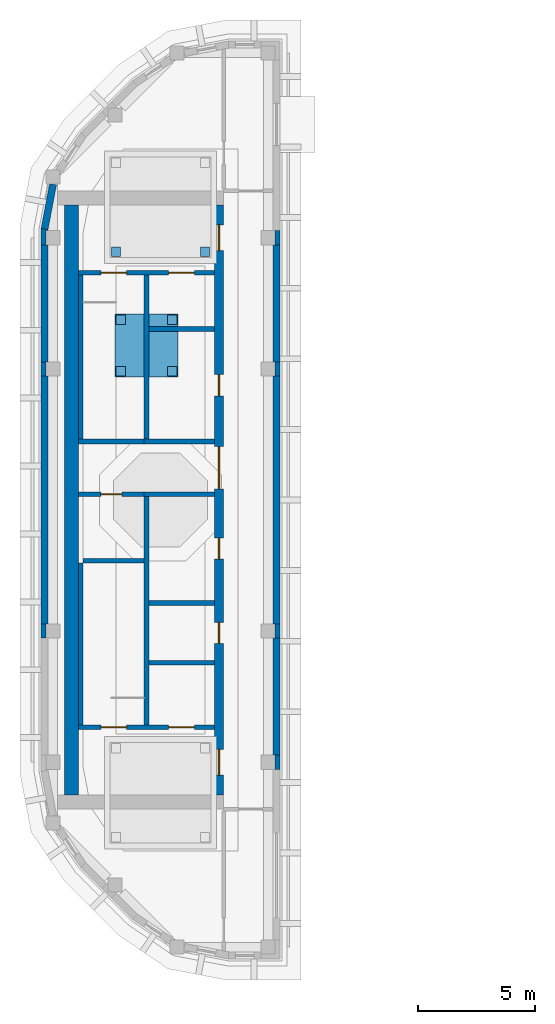
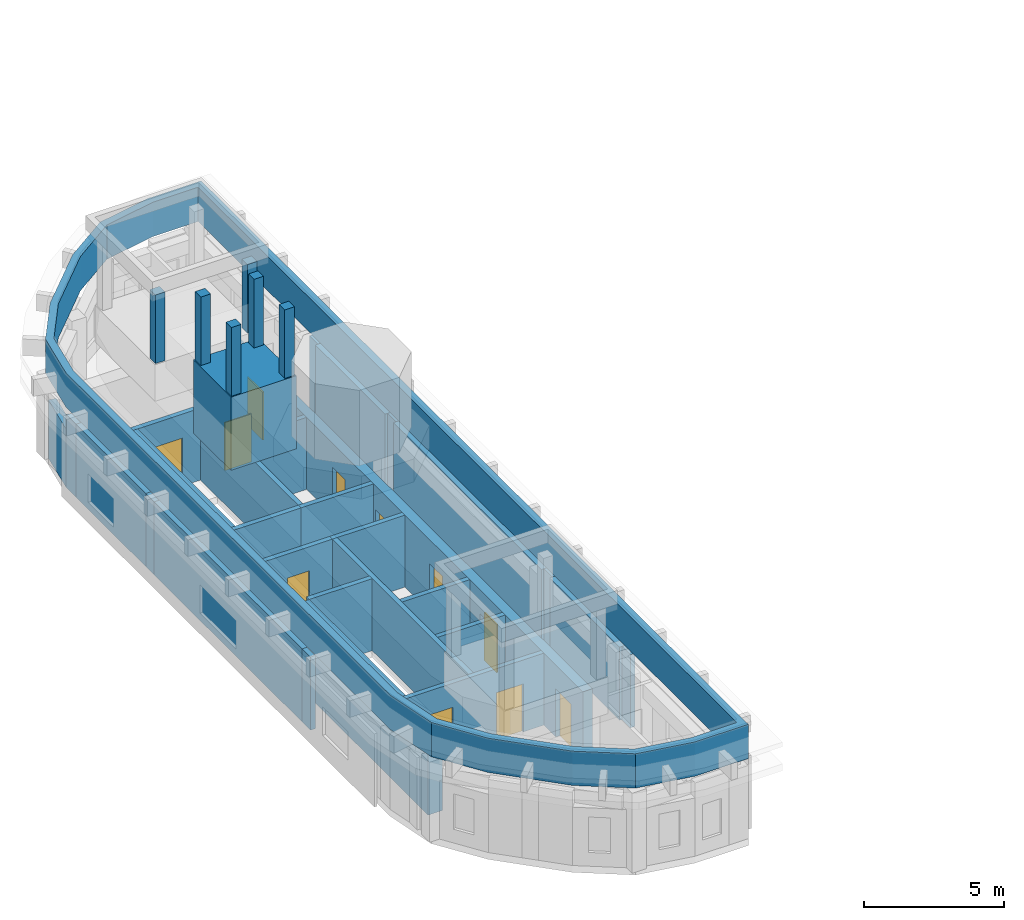
# One storey, part 2 of 4: 37 walls, 11 doors, 11 openings.
"""IFC4 building model written with IfcOpenShell, lengths in metres."""

from ifc_helpers import new_model, si_unit, direction, frame, frame_2d, origin, place, context, subcontext, project, spatial, polyline, rectangle, outline, extrude, material, layer, layer_set, type_object, element, fill, save


model = new_model("IFC4")

# Units and contexts
model_context = context("Model", 3, precision=1e-05, world=origin(), true_north=direction((0.0, 1.0)))
body_context = subcontext(model_context, "Body", "Model", "MODEL_VIEW")
ifc_project = project(units=[si_unit("LENGTHUNIT", "METRE"), si_unit("AREAUNIT", "SQUARE_METRE"), si_unit("VOLUMEUNIT", "CUBIC_METRE"), si_unit("PLANEANGLEUNIT", "RADIAN"), si_unit("MASSUNIT", "GRAM", prefix="KILO")], contexts=[model_context])

# Site, building, storey
site_placement = place(None, origin())
site = spatial("IfcSite", under=ifc_project, at=site_placement, CompositionType="ELEMENT")
building_placement = place(site_placement, origin())
building = spatial("IfcBuilding", under=site, at=building_placement, Name="Kiln Ring Residences", CompositionType="ELEMENT")
storey_placement = place(building_placement, frame((0.0, 0.0, 320.89990234375)))
storey = spatial("IfcBuildingStorey", under=building, at=storey_placement, Name="L83 Crown", CompositionType="ELEMENT", Elevation=320.89990234375)

# Walls
ifc_material_1 = material(Name="Brick masonry, dark clay brick", Category="masonry")
ifc_layer_1 = layer(ifc_material_1, 0.39990234375)
ifc_layer_set_1 = layer_set([ifc_layer_1], Name="CHHATRI POST 400")
wall_type_1 = type_object("IfcWallType", Name="CHHATRI POST 400", PredefinedType="SOLIDWALL", material=ifc_layer_set_1)
placement_1 = place(storey_placement, frame((0.0, 0.0, 5.10009765625)))
element("IfcWall", 1, at=placement_1, inside=storey, type_object=wall_type_1, Name="CHHATRI POST L83 Crown", PredefinedType="SOLIDWALL", context=body_context, shape_type="SweptSolid", body=[
    extrude(outline(polyline([(-21.800048828125, 10.39990234375), (-21.800048828125, 10.800048828125), (-22.199951171875, 10.800048828125), (-22.199951171875, 10.39990234375), (-21.800048828125, 10.39990234375)])), origin(), (0.0, 0.0, 1.0), 3.0),
])
element("IfcWall", 2, at=placement_1, inside=storey, type_object=wall_type_1, Name="CHHATRI POST L83 Crown", PredefinedType="SOLIDWALL", context=body_context, shape_type="SweptSolid", body=[
    extrude(outline(polyline([(-18.0, 10.39990234375), (-18.0, 10.800048828125), (-18.39990234375, 10.800048828125), (-18.39990234375, 10.39990234375), (-18.0, 10.39990234375)])), origin(), (0.0, 0.0, 1.0), 3.0),
])
placement_2 = place(storey_placement, frame((0.0, 0.0, 6.7001953125)))
element("IfcWall", 3, at=placement_2, inside=storey, type_object=wall_type_1, Name="CHHATRI POST L83 Crown", PredefinedType="SOLIDWALL", context=body_context, shape_type="SweptSolid", body=[
    extrude(outline(polyline([(-21.60009765625, 5.300048828125), (-21.60009765625, 5.699951171875), (-22.0, 5.699951171875), (-22.0, 5.300048828125), (-21.60009765625, 5.300048828125)])), origin(), (0.0, 0.0, 1.0), 3.0),
])
element("IfcWall", 4, at=placement_2, inside=storey, type_object=wall_type_1, Name="CHHATRI POST L83 Crown", PredefinedType="SOLIDWALL", context=body_context, shape_type="SweptSolid", body=[
    extrude(outline(polyline([(-19.39990234375, 5.300048828125), (-19.39990234375, 5.699951171875), (-19.800048828125, 5.699951171875), (-19.800048828125, 5.300048828125), (-19.39990234375, 5.300048828125)])), origin(), (0.0, 0.0, 1.0), 3.0),
])
element("IfcWall", 5, at=placement_2, inside=storey, type_object=wall_type_1, Name="CHHATRI POST L83 Crown", PredefinedType="SOLIDWALL", context=body_context, shape_type="SweptSolid", body=[
    extrude(outline(polyline([(-19.39990234375, 7.5), (-19.39990234375, 7.89990234375), (-19.800048828125, 7.89990234375), (-19.800048828125, 7.5), (-19.39990234375, 7.5)])), origin(), (0.0, 0.0, 1.0), 3.0),
])
element("IfcWall", 6, at=placement_2, inside=storey, type_object=wall_type_1, Name="CHHATRI POST L83 Crown", PredefinedType="SOLIDWALL", context=body_context, shape_type="SweptSolid", body=[
    extrude(outline(polyline([(-21.60009765625, 7.5), (-21.60009765625, 7.89990234375), (-22.0, 7.89990234375), (-22.0, 7.5), (-21.60009765625, 7.5)])), origin(), (0.0, 0.0, 1.0), 3.0),
])

# Wall, opening, door
ifc_material_2 = material(Name="Gypsum board on steel studs", Category="steel")
ifc_layer_2 = layer(ifc_material_2, 0.199951171875)
ifc_layer_set_2 = layer_set([ifc_layer_2], Name="CORE-PARTITION-200")
wall_type_2 = type_object("IfcWallType", Name="CORE-PARTITION-200", PredefinedType="PARTITIONING", material=ifc_layer_set_2)
wall_7_placement = place(storey_placement, frame((-20.800048828125, 0.25, 0.0), z_axis=(0.0, 0.0, 1.0), x_axis=(-1.0, 0.0, 0.0)))
wall_7 = element("IfcWall", 7, at=wall_7_placement, inside=storey, type_object=wall_type_2, Name="Core partition west L83 Crown 1", PredefinedType="PARTITIONING", context=body_context, shape_type="SweptSolid", body=[
    extrude(rectangle(XDim=2.800048828125, YDim=0.199951171875, at=frame_2d((1.39990234375, 0.0))), origin(), (0.0, 0.0, 1.0), 3.150146484375),
])
opening_1_placement = place(wall_7_placement, frame((0.949951171875, 0.0, 0.0)))
opening_1 = element("IfcOpeningElement", 8, at=opening_1_placement, cuts=wall_7, Name="Opening L83-CW11", PredefinedType="OPENING", context=body_context, shape_type="SweptSolid", body=[
    extrude(rectangle(XDim=0.89990234375, YDim=2.10009765625, at=frame_2d((0.449951171875, 1.050048828125))), frame((0.0, 0.10986328125, 0.0), z_axis=(0.0, -1.0, 0.0), x_axis=(1.0, 0.0, 0.0)), (0.0, 0.0, 1.0), 0.219970703125),
])
ifc_material_3 = material(Name="Steel door leaf", Category="steel")
door_type_1 = type_object("IfcDoorType", Name="CORE-DOOR-ROOM", OperationType="SINGLE_SWING_LEFT", PredefinedType="DOOR", material=ifc_material_3)
door_1_placement = place(opening_1_placement, origin())
door_1 = element("IfcDoor", 9, at=door_1_placement, inside=storey, type_object=door_type_1, Name="Electrical riser room L83-CW11", OperationType="SINGLE_SWING_LEFT", OverallHeight=2.10009765625, OverallWidth=0.89990234375, PredefinedType="DOOR", context=body_context, shape_type="SweptSolid", body=[
    extrude(rectangle(XDim=0.89990234375, YDim=2.10009765625, at=frame_2d((0.449951171875, 1.050048828125))), frame((0.0, 0.02490234375, 0.0), z_axis=(0.0, -1.0, 0.0), x_axis=(1.0, 0.0, 0.0)), (0.0, 0.0, 1.0), 0.050048828125),
])
fill(opening_1, door_1)

# Walls
wall_8_placement = place(storey_placement, frame((-17.800048828125, -4.39990234375, 0.0), z_axis=(0.0, 0.0, 1.0), x_axis=(-1.0, 0.0, 0.0)))
element("IfcWall", 10, at=wall_8_placement, inside=storey, type_object=wall_type_2, Name="Core partition west L83 Crown 2", PredefinedType="PARTITIONING", context=body_context, shape_type="SweptSolid", body=[
    extrude(rectangle(XDim=2.800048828125, YDim=0.199951171875, at=frame_2d((1.39990234375, 0.0))), origin(), (0.0, 0.0, 1.0), 3.150146484375),
])
ifc_material_4 = material(Name="Gypsum shaft wall system")
ifc_layer_3 = layer(ifc_material_4, 0.199951171875)
ifc_layer_set_3 = layer_set([ifc_layer_3], Name="CORE-SHAFT-WALL-200")
wall_type_3 = type_object("IfcWallType", Name="CORE-SHAFT-WALL-200", PredefinedType="PARTITIONING", material=ifc_layer_set_3)
wall_9_placement = place(storey_placement, frame((-17.800048828125, -6.949951171875, 0.0), z_axis=(0.0, 0.0, 1.0), x_axis=(-1.0, 0.0, 0.0)))
element("IfcWall", 11, at=wall_9_placement, inside=storey, type_object=wall_type_3, Name="Core partition west L83 Crown 3", PredefinedType="PARTITIONING", context=body_context, shape_type="SweptSolid", body=[
    extrude(rectangle(XDim=2.800048828125, YDim=0.199951171875, at=frame_2d((1.39990234375, 0.0))), origin(), (0.0, 0.0, 1.0), 3.150146484375),
])
for number, where, z_axis, x_axis, name in (
    (12, (-17.800048828125, 0.25, 0.0), (0.0, 0.0, 1.0), (-1.0, 0.0, 0.0), "Core partition west L83 Crown 4"),
    (13, (-17.800048828125, 2.5, 0.0), (0.0, 0.0, 1.0), (-1.0, 0.0, 0.0), "Core partition west L83 Crown 5"),
):
    element("IfcWall", number, at=place(storey_placement, frame(where, z_axis=z_axis, x_axis=x_axis)), inside=storey, type_object=wall_type_3, Name=name, PredefinedType="PARTITIONING", context=body_context, shape_type="SweptSolid", body=[
        extrude(rectangle(XDim=3.0, YDim=0.199951171875, at=frame_2d((1.5, 0.0))), origin(), (0.0, 0.0, 1.0), 3.150146484375),
    ])
wall_10_placement = place(storey_placement, frame((-17.800048828125, 7.300048828125, 0.0), z_axis=(0.0, 0.0, 1.0), x_axis=(-1.0, 0.0, 0.0)))
element("IfcWall", 14, at=wall_10_placement, inside=storey, type_object=wall_type_3, Name="Core partition west L83 Crown 6", PredefinedType="PARTITIONING", context=body_context, shape_type="SweptSolid", body=[
    extrude(rectangle(XDim=2.800048828125, YDim=0.199951171875, at=frame_2d((1.39990234375, 0.0))), origin(), (0.0, 0.0, 1.0), 3.150146484375),
])
ifc_material_5 = material(Name="Concrete C40/50", Category="concrete")
ifc_layer_4 = layer(ifc_material_5, 0.199951171875)
ifc_layer_set_4 = layer_set([ifc_layer_4], Name="CORE-WALL-RC200")
wall_type_4 = type_object("IfcWallType", Name="CORE-WALL-RC200", PredefinedType="SHEAR", material=ifc_layer_set_4)
wall_11_placement = place(storey_placement, frame((-20.699951171875, 2.60009765625, 0.0), z_axis=(0.0, 0.0, 1.0), x_axis=(0.0, 1.0, 0.0)))
element("IfcWall", 15, at=wall_11_placement, inside=storey, type_object=wall_type_4, Name="Core wall west L83 Crown 1", PredefinedType="SHEAR", context=body_context, shape_type="SweptSolid", body=[
    extrude(rectangle(XDim=7.0, YDim=0.199951171875, at=frame_2d((3.5, 0.0))), origin(), (0.0, 0.0, 1.0), 3.150146484375),
])
wall_12_placement = place(storey_placement, frame((-20.699951171875, -9.60009765625, 0.0), z_axis=(0.0, 0.0, 1.0), x_axis=(0.0, 1.0, 0.0)))
element("IfcWall", 16, at=wall_12_placement, inside=storey, type_object=wall_type_4, Name="Core wall west L83 Crown 2", PredefinedType="SHEAR", context=body_context, shape_type="SweptSolid", body=[
    extrude(rectangle(XDim=9.75, YDim=0.199951171875, at=frame_2d((4.875, 0.0))), origin(), (0.0, 0.0, 1.0), 3.150146484375),
])
wall_13_placement = place(storey_placement, frame((-20.800048828125, 2.5, 0.0), z_axis=(0.0, 0.0, 1.0), x_axis=(-1.0, 0.0, 0.0)))
element("IfcWall", 17, at=wall_13_placement, inside=storey, type_object=wall_type_4, Name="Core wall west L83 Crown 3", PredefinedType="SHEAR", context=body_context, shape_type="SweptSolid", body=[
    extrude(rectangle(XDim=2.800048828125, YDim=0.199951171875, at=frame_2d((1.39990234375, 0.0))), origin(), (0.0, 0.0, 1.0), 3.150146484375),
])

# Wall, openings, doors
wall_14_placement = place(storey_placement, frame((-17.800048828125, -9.699951171875, 0.0), z_axis=(0.0, 0.0, 1.0), x_axis=(-1.0, 0.0, 0.0)))
wall_14 = element("IfcWall", 18, at=wall_14_placement, inside=storey, type_object=wall_type_4, Name="Core wall west L83 Crown 8", PredefinedType="SHEAR", context=body_context, shape_type="SweptSolid", body=[
    extrude(rectangle(XDim=5.800048828125, YDim=0.199951171875, at=frame_2d((2.89990234375, 0.0))), origin(), (0.0, 0.0, 1.0), 3.150146484375),
])
opening_2_placement = place(wall_14_placement, frame((0.85009765625, 0.0, 0.0)))
opening_2 = element("IfcOpeningElement", 19, at=opening_2_placement, cuts=wall_14, Name="Opening L83-CW01", PredefinedType="OPENING", context=body_context, shape_type="SweptSolid", body=[
    extrude(rectangle(XDim=1.10009765625, YDim=2.10009765625, at=frame_2d((0.550048828125, 1.050048828125))), frame((0.0, 0.10986328125, 0.0), z_axis=(0.0, -1.0, 0.0), x_axis=(1.0, 0.0, 0.0)), (0.0, 0.0, 1.0), 0.219970703125),
])
opening_3_placement = place(wall_14_placement, frame((3.75, 0.0, 0.0)))
opening_3 = element("IfcOpeningElement", 20, at=opening_3_placement, cuts=wall_14, Name="Opening L83-CW09", PredefinedType="OPENING", context=body_context, shape_type="SweptSolid", body=[
    extrude(rectangle(XDim=1.10009765625, YDim=2.10009765625, at=frame_2d((0.550048828125, 1.050048828125))), frame((0.0, 0.10986328125, 0.0), z_axis=(0.0, -1.0, 0.0), x_axis=(1.0, 0.0, 0.0)), (0.0, 0.0, 1.0), 0.219970703125),
])
ifc_material_6 = material(Name="Steel door leaf", Category="steel")
door_type_2 = type_object("IfcDoorType", Name="CORE-DOOR-LD", OperationType="DOUBLE_DOOR_SLIDING", PredefinedType="DOOR", material=ifc_material_6)
door_2_placement = place(opening_2_placement, origin())
door_2 = element("IfcDoor", 21, at=door_2_placement, inside=storey, type_object=door_type_2, Name="LD W-SV L83-CW01", OperationType="DOUBLE_DOOR_SLIDING", OverallHeight=2.10009765625, OverallWidth=1.10009765625, PredefinedType="DOOR", context=body_context, shape_type="SweptSolid", body=[
    extrude(rectangle(XDim=1.10009765625, YDim=2.10009765625, at=frame_2d((0.550048828125, 1.050048828125))), frame((0.0, 0.02490234375, 0.0), z_axis=(0.0, -1.0, 0.0), x_axis=(1.0, 0.0, 0.0)), (0.0, 0.0, 1.0), 0.050048828125),
])
fill(opening_2, door_2)
ifc_material_7 = material(Name="Steel door leaf", Category="steel")
door_type_3 = type_object("IfcDoorType", Name="CORE-DOOR-STAIR", OperationType="SINGLE_SWING_LEFT", PredefinedType="DOOR", material=ifc_material_7)
door_3_placement = place(opening_3_placement, origin())
door_3 = element("IfcDoor", 22, at=door_3_placement, inside=storey, type_object=door_type_3, Name="Stair W-STS L83-CW09", OperationType="SINGLE_SWING_RIGHT", OverallHeight=2.10009765625, OverallWidth=1.10009765625, PredefinedType="DOOR", context=body_context, shape_type="SweptSolid", body=[
    extrude(rectangle(XDim=1.10009765625, YDim=2.10009765625, at=frame_2d((0.550048828125, 1.050048828125))), frame((0.0, 0.02490234375, 0.0), z_axis=(0.0, -1.0, 0.0), x_axis=(1.0, 0.0, 0.0)), (0.0, 0.0, 1.0), 0.050048828125),
])
fill(opening_3, door_3)

wall_15_placement = place(storey_placement, frame((-17.800048828125, 9.699951171875, 0.0), z_axis=(0.0, 0.0, 1.0), x_axis=(-1.0, 0.0, 0.0)))
wall_15 = element("IfcWall", 23, at=wall_15_placement, inside=storey, type_object=wall_type_4, Name="Core wall west L83 Crown 9", PredefinedType="SHEAR", context=body_context, shape_type="SweptSolid", body=[
    extrude(rectangle(XDim=5.800048828125, YDim=0.199951171875, at=frame_2d((2.89990234375, 0.0))), origin(), (0.0, 0.0, 1.0), 3.150146484375),
])
opening_4_placement = place(wall_15_placement, frame((0.85009765625, 0.0, 0.0)))
opening_4 = element("IfcOpeningElement", 24, at=opening_4_placement, cuts=wall_15, Name="Opening L83-CW05", PredefinedType="OPENING", context=body_context, shape_type="SweptSolid", body=[
    extrude(rectangle(XDim=1.10009765625, YDim=2.10009765625, at=frame_2d((0.550048828125, 1.050048828125))), frame((0.0, 0.10986328125, 0.0), z_axis=(0.0, -1.0, 0.0), x_axis=(1.0, 0.0, 0.0)), (0.0, 0.0, 1.0), 0.219970703125),
])
opening_5_placement = place(wall_15_placement, frame((3.75, 0.0, 0.0)))
opening_5 = element("IfcOpeningElement", 25, at=opening_5_placement, cuts=wall_15, Name="Opening L83-CW08", PredefinedType="OPENING", context=body_context, shape_type="SweptSolid", body=[
    extrude(rectangle(XDim=1.10009765625, YDim=2.10009765625, at=frame_2d((0.550048828125, 1.050048828125))), frame((0.0, 0.10986328125, 0.0), z_axis=(0.0, -1.0, 0.0), x_axis=(1.0, 0.0, 0.0)), (0.0, 0.0, 1.0), 0.219970703125),
])
door_4_placement = place(opening_4_placement, origin())
door_4 = element("IfcDoor", 26, at=door_4_placement, inside=storey, type_object=door_type_2, Name="LD W-FF L83-CW05", OperationType="DOUBLE_DOOR_SLIDING", OverallHeight=2.10009765625, OverallWidth=1.10009765625, PredefinedType="DOOR", context=body_context, shape_type="SweptSolid", body=[
    extrude(rectangle(XDim=1.10009765625, YDim=2.10009765625, at=frame_2d((0.550048828125, 1.050048828125))), frame((0.0, 0.02490234375, 0.0), z_axis=(0.0, -1.0, 0.0), x_axis=(1.0, 0.0, 0.0)), (0.0, 0.0, 1.0), 0.050048828125),
])
fill(opening_4, door_4)
door_5_placement = place(opening_5_placement, origin())
door_5 = element("IfcDoor", 27, at=door_5_placement, inside=storey, type_object=door_type_3, Name="Stair W-STN L83-CW08", OperationType="SINGLE_SWING_RIGHT", OverallHeight=2.10009765625, OverallWidth=1.10009765625, PredefinedType="DOOR", context=body_context, shape_type="SweptSolid", body=[
    extrude(rectangle(XDim=1.10009765625, YDim=2.10009765625, at=frame_2d((0.550048828125, 1.050048828125))), frame((0.0, 0.02490234375, 0.0), z_axis=(0.0, -1.0, 0.0), x_axis=(1.0, 0.0, 0.0)), (0.0, 0.0, 1.0), 0.050048828125),
])
fill(opening_5, door_5)

# Walls
wall_16_placement = place(storey_placement, frame((-23.5, 2.60009765625, 0.0), z_axis=(0.0, 0.0, 1.0), x_axis=(0.0, 1.0, 0.0)))
element("IfcWall", 28, at=wall_16_placement, inside=storey, type_object=wall_type_4, Name="Core wall west L83 Crown 10", PredefinedType="SHEAR", context=body_context, shape_type="SweptSolid", body=[
    extrude(rectangle(XDim=7.0, YDim=0.199951171875, at=frame_2d((3.5, 0.0))), origin(), (0.0, 0.0, 1.0), 3.150146484375),
])
wall_17_placement = place(storey_placement, frame((-23.5, -9.60009765625, 0.0), z_axis=(0.0, 0.0, 1.0), x_axis=(0.0, 1.0, 0.0)))
element("IfcWall", 29, at=wall_17_placement, inside=storey, type_object=wall_type_4, Name="Core wall west L83 Crown 11", PredefinedType="SHEAR", context=body_context, shape_type="SweptSolid", body=[
    extrude(rectangle(XDim=6.900146484375, YDim=0.199951171875, at=frame_2d((3.4501953125, 0.0))), origin(), (0.0, 0.0, 1.0), 3.150146484375),
])
wall_18_placement = place(storey_placement, frame((-20.800048828125, -2.60009765625, 0.0), z_axis=(0.0, 0.0, 1.0), x_axis=(-1.0, 0.0, 0.0)))
element("IfcWall", 30, at=wall_18_placement, inside=storey, type_object=wall_type_4, Name="Core wall west L83 Crown 12", PredefinedType="SHEAR", context=body_context, shape_type="SweptSolid", body=[
    extrude(rectangle(XDim=2.599853515625, YDim=0.199951171875, at=frame_2d((1.2998046875, 0.0))), origin(), (0.0, 0.0, 1.0), 3.150146484375),
])

# Wall, openings, doors
ifc_material_8 = material(Name="Concrete C60/75", Category="concrete")
ifc_layer_5 = layer(ifc_material_8, 0.39990234375)
ifc_layer_set_5 = layer_set([ifc_layer_5], Name="CORE-WALL-RC400")
wall_type_5 = type_object("IfcWallType", Name="CORE-WALL-RC400", PredefinedType="SHEAR", material=ifc_layer_set_5)
wall_19_placement = place(storey_placement, frame((-17.60009765625, -12.60009765625, 0.0), z_axis=(0.0, 0.0, 1.0), x_axis=(0.0, 1.0, 0.0)))
wall_19 = element("IfcWall", 31, at=wall_19_placement, inside=storey, type_object=wall_type_5, Name="Core wall west L83 Crown 6", PredefinedType="SHEAR", context=body_context, shape_type="SweptSolid", body=[
    extrude(rectangle(XDim=25.2001953125, YDim=0.39990234375, at=frame_2d((12.60009765625, 0.0))), origin(), (0.0, 0.0, 1.0), 3.150146484375),
])
opening_6_placement = place(wall_19_placement, frame((6.47509765625, 0.0, 0.0)))
opening_6 = element("IfcOpeningElement", 32, at=opening_6_placement, cuts=wall_19, Name="Opening L83-CW02", PredefinedType="OPENING", context=body_context, shape_type="SweptSolid", body=[
    extrude(rectangle(XDim=0.89990234375, YDim=2.10009765625, at=frame_2d((0.449951171875, 1.050048828125))), frame((0.0, 0.2099609375, 0.0), z_axis=(0.0, -1.0, 0.0), x_axis=(1.0, 0.0, 0.0)), (0.0, 0.0, 1.0), 0.419921875),
])
opening_7_placement = place(wall_19_placement, frame((10.074951171875, 0.0, 0.0)))
opening_7 = element("IfcOpeningElement", 33, at=opening_7_placement, cuts=wall_19, Name="Opening L83-CW03", PredefinedType="OPENING", context=body_context, shape_type="SweptSolid", body=[
    extrude(rectangle(XDim=0.89990234375, YDim=2.10009765625, at=frame_2d((0.449951171875, 1.050048828125))), frame((0.0, 0.2099609375, 0.0), z_axis=(0.0, -1.0, 0.0), x_axis=(1.0, 0.0, 0.0)), (0.0, 0.0, 1.0), 0.419921875),
])
opening_8_placement = place(wall_19_placement, frame((17.050048828125, 0.0, 0.0)))
opening_8 = element("IfcOpeningElement", 34, at=opening_8_placement, cuts=wall_19, Name="Opening L83-CW04", PredefinedType="OPENING", context=body_context, shape_type="SweptSolid", body=[
    extrude(rectangle(XDim=0.89990234375, YDim=2.10009765625, at=frame_2d((0.449951171875, 1.050048828125))), frame((0.0, 0.2099609375, 0.0), z_axis=(0.0, -1.0, 0.0), x_axis=(1.0, 0.0, 0.0)), (0.0, 0.0, 1.0), 0.419921875),
])
opening_9_placement = place(wall_19_placement, frame((23.25, 0.0, 0.0)))
opening_9 = element("IfcOpeningElement", 35, at=opening_9_placement, cuts=wall_19, Name="Opening L83-CW06", PredefinedType="OPENING", context=body_context, shape_type="SweptSolid", body=[
    extrude(rectangle(XDim=1.10009765625, YDim=2.10009765625, at=frame_2d((0.550048828125, 1.050048828125))), frame((0.0, 0.2099609375, 0.0), z_axis=(0.0, -1.0, 0.0), x_axis=(1.0, 0.0, 0.0)), (0.0, 0.0, 1.0), 0.419921875),
])
opening_10_placement = place(wall_19_placement, frame((0.85009765625, 0.0, 0.0)))
opening_10 = element("IfcOpeningElement", 36, at=opening_10_placement, cuts=wall_19, Name="Opening L83-CW07", PredefinedType="OPENING", context=body_context, shape_type="SweptSolid", body=[
    extrude(rectangle(XDim=1.10009765625, YDim=2.10009765625, at=frame_2d((0.550048828125, 1.050048828125))), frame((0.0, 0.2099609375, 0.0), z_axis=(0.0, -1.0, 0.0), x_axis=(1.0, 0.0, 0.0)), (0.0, 0.0, 1.0), 0.419921875),
])
opening_11_placement = place(wall_19_placement, frame((13.074951171875, 0.0, 0.0)))
opening_11 = element("IfcOpeningElement", 37, at=opening_11_placement, cuts=wall_19, Name="Opening L83-CW10", PredefinedType="OPENING", context=body_context, shape_type="SweptSolid", body=[
    extrude(rectangle(XDim=1.800048828125, YDim=2.10009765625, at=frame_2d((0.89990234375, 1.050048828125))), frame((0.0, 0.2099609375, 0.0), z_axis=(0.0, -1.0, 0.0), x_axis=(1.0, 0.0, 0.0)), (0.0, 0.0, 1.0), 0.419921875),
])
ifc_material_9 = material(Name="Steel door leaf", Category="steel")
door_type_4 = type_object("IfcDoorType", Name="CORE-DOOR-LOBBY", OperationType="SINGLE_SWING_LEFT", PredefinedType="DOOR", material=ifc_material_9)
door_6_placement = place(opening_9_placement, origin())
door_6 = element("IfcDoor", 38, at=door_6_placement, inside=storey, type_object=door_type_4, Name="FFL L83-CW06", OperationType="SINGLE_SWING_LEFT", OverallHeight=2.10009765625, OverallWidth=1.10009765625, PredefinedType="DOOR", context=body_context, shape_type="SweptSolid", body=[
    extrude(rectangle(XDim=1.10009765625, YDim=2.10009765625, at=frame_2d((0.550048828125, 1.050048828125))), frame((0.0, 0.02490234375, 0.0), z_axis=(0.0, -1.0, 0.0), x_axis=(1.0, 0.0, 0.0)), (0.0, 0.0, 1.0), 0.050048828125),
])
fill(opening_9, door_6)
door_7_placement = place(opening_10_placement, origin())
door_7 = element("IfcDoor", 39, at=door_7_placement, inside=storey, type_object=door_type_4, Name="SVL L83-CW07", OperationType="SINGLE_SWING_RIGHT", OverallHeight=2.10009765625, OverallWidth=1.10009765625, PredefinedType="DOOR", context=body_context, shape_type="SweptSolid", body=[
    extrude(rectangle(XDim=1.10009765625, YDim=2.10009765625, at=frame_2d((0.550048828125, 1.050048828125))), frame((0.0, 0.02490234375, 0.0), z_axis=(0.0, -1.0, 0.0), x_axis=(1.0, 0.0, 0.0)), (0.0, 0.0, 1.0), 0.050048828125),
])
fill(opening_10, door_7)
ifc_material_10 = material(Name="Steel door leaf", Category="steel")
door_type_5 = type_object("IfcDoorType", Name="CORE-DOOR-PASS", OperationType="DOUBLE_DOOR_SINGLE_SWING", PredefinedType="DOOR", material=ifc_material_10)
door_8_placement = place(opening_11_placement, origin())
door_8 = element("IfcDoor", 40, at=door_8_placement, inside=storey, type_object=door_type_5, Name="Core passage L83-CW10", OperationType="DOUBLE_DOOR_SINGLE_SWING", OverallHeight=2.10009765625, OverallWidth=1.800048828125, PredefinedType="DOOR", context=body_context, shape_type="SweptSolid", body=[
    extrude(rectangle(XDim=1.800048828125, YDim=2.10009765625, at=frame_2d((0.89990234375, 1.050048828125))), frame((0.0, 0.02490234375, 0.0), z_axis=(0.0, -1.0, 0.0), x_axis=(1.0, 0.0, 0.0)), (0.0, 0.0, 1.0), 0.050048828125),
])
fill(opening_11, door_8)
door_9_placement = place(opening_6_placement, origin())
door_9 = element("IfcDoor", 41, at=door_9_placement, inside=storey, type_object=door_type_1, Name="Goods store L83-CW02", OperationType="SINGLE_SWING_RIGHT", OverallHeight=2.10009765625, OverallWidth=0.89990234375, PredefinedType="DOOR", context=body_context, shape_type="SweptSolid", body=[
    extrude(rectangle(XDim=0.89990234375, YDim=2.10009765625, at=frame_2d((0.449951171875, 1.050048828125))), frame((0.0, 0.02490234375, 0.0), z_axis=(0.0, -1.0, 0.0), x_axis=(1.0, 0.0, 0.0)), (0.0, 0.0, 1.0), 0.050048828125),
])
fill(opening_6, door_9)
door_10_placement = place(opening_7_placement, origin())
door_10 = element("IfcDoor", 42, at=door_10_placement, inside=storey, type_object=door_type_1, Name="Storage room L83-CW03", OperationType="SINGLE_SWING_LEFT", OverallHeight=2.10009765625, OverallWidth=0.89990234375, PredefinedType="DOOR", context=body_context, shape_type="SweptSolid", body=[
    extrude(rectangle(XDim=0.89990234375, YDim=2.10009765625, at=frame_2d((0.449951171875, 1.050048828125))), frame((0.0, 0.02490234375, 0.0), z_axis=(0.0, -1.0, 0.0), x_axis=(1.0, 0.0, 0.0)), (0.0, 0.0, 1.0), 0.050048828125),
])
fill(opening_7, door_10)
door_11_placement = place(opening_8_placement, origin())
door_11 = element("IfcDoor", 43, at=door_11_placement, inside=storey, type_object=door_type_1, Name="Housekeeping store L83-CW04", OperationType="SINGLE_SWING_RIGHT", OverallHeight=2.10009765625, OverallWidth=0.89990234375, PredefinedType="DOOR", context=body_context, shape_type="SweptSolid", body=[
    extrude(rectangle(XDim=0.89990234375, YDim=2.10009765625, at=frame_2d((0.449951171875, 1.050048828125))), frame((0.0, 0.02490234375, 0.0), z_axis=(0.0, -1.0, 0.0), x_axis=(1.0, 0.0, 0.0)), (0.0, 0.0, 1.0), 0.050048828125),
])
fill(opening_8, door_11)

# Walls
ifc_material_11 = material(Name="Concrete C60/75", Category="concrete")
ifc_layer_6 = layer(ifc_material_11, 0.60009765625)
ifc_layer_set_6 = layer_set([ifc_layer_6], Name="CORE-WALL-RC600")
wall_type_6 = type_object("IfcWallType", Name="CORE-WALL-RC600", PredefinedType="SHEAR", material=ifc_layer_set_6)
wall_20_placement = place(storey_placement, frame((-23.89990234375, -12.60009765625, 0.0), z_axis=(0.0, 0.0, 1.0), x_axis=(0.0, 1.0, 0.0)))
element("IfcWall", 44, at=wall_20_placement, inside=storey, type_object=wall_type_6, Name="Core wall west L83 Crown 7", PredefinedType="SHEAR", context=body_context, shape_type="SweptSolid", body=[
    extrude(rectangle(XDim=25.2001953125, YDim=0.60009765625, at=frame_2d((12.60009765625, 0.0))), origin(), (0.0, 0.0, 1.0), 3.150146484375),
])
ifc_material_12 = material(Name="Brick masonry, dark clay brick", Category="masonry")
ifc_layer_7 = layer(ifc_material_12, 0.300048828125)
ifc_layer_set_7 = layer_set([ifc_layer_7], Name="EW-300 BRICK WALL")
wall_type_7 = type_object("IfcWallType", Name="EW-300 BRICK WALL", PredefinedType="SOLIDWALL", material=ifc_layer_set_7)
wall_21_placement = place(storey_placement, frame((-15.14990234375, -10.89990234375, 0.0), z_axis=(0.0, 0.0, 1.0), x_axis=(0.0, 1.0, 0.0)))
element("IfcWall", 45, at=wall_21_placement, inside=storey, type_object=wall_type_7, Name="Facade wall L83 Crown 4", PredefinedType="SOLIDWALL", context=body_context, shape_type="SweptSolid", body=[
    extrude(rectangle(XDim=5.0, YDim=0.300048828125, at=frame_2d((2.5, 0.0))), origin(), (0.0, 0.0, 1.0), 3.2001953125),
])
wall_22_placement = place(storey_placement, frame((-15.14990234375, -5.300048828125, 0.0), z_axis=(0.0, 0.0, 1.0), x_axis=(0.0, 1.0, 0.0)))
element("IfcWall", 46, at=wall_22_placement, inside=storey, type_object=wall_type_7, Name="Facade wall L83 Crown 5", PredefinedType="SOLIDWALL", context=body_context, shape_type="SweptSolid", body=[
    extrude(rectangle(XDim=10.60009765625, YDim=0.300048828125, at=frame_2d((5.300048828125, 0.0))), origin(), (0.0, 0.0, 1.0), 3.2001953125),
])
wall_23_placement = place(storey_placement, frame((-15.14990234375, 5.89990234375, 0.0), z_axis=(0.0, 0.0, 1.0), x_axis=(0.0, 1.0, 0.0)))
element("IfcWall", 47, at=wall_23_placement, inside=storey, type_object=wall_type_7, Name="Facade wall L83 Crown 6", PredefinedType="SOLIDWALL", context=body_context, shape_type="SweptSolid", body=[
    extrude(rectangle(XDim=5.0, YDim=0.300048828125, at=frame_2d((2.5, 0.0))), origin(), (0.0, 0.0, 1.0), 3.2001953125),
])
wall_24_placement = place(storey_placement, frame((-24.687744140625, 13.485107421875, 0.0), z_axis=(0.0, 0.0, 1.0), x_axis=(-0.187354129902, -0.982292436095, 0.0)))
element("IfcWall", 48, at=wall_24_placement, inside=storey, type_object=wall_type_7, Name="Facade wall L83 Crown 14", PredefinedType="SOLIDWALL", context=body_context, shape_type="SweptSolid", body=[
    extrude(rectangle(XDim=1.94677734375, YDim=0.300048828125, at=frame_2d((0.973388671875, 0.0))), origin(), (0.0, 0.0, 1.0), 2.550048828125),
])
wall_25_placement = place(storey_placement, frame((-25.050048828125, 10.89990234375, 0.0), z_axis=(0.0, 0.0, 1.0), x_axis=(0.0, -1.0, 0.0)))
element("IfcWall", 49, at=wall_25_placement, inside=storey, type_object=wall_type_7, Name="Facade wall L83 Crown 15", PredefinedType="SOLIDWALL", context=body_context, shape_type="SweptSolid", body=[
    extrude(rectangle(XDim=5.0, YDim=0.300048828125, at=frame_2d((2.5, 0.0))), origin(), (0.0, 0.0, 1.0), 3.2001953125),
])
wall_26_placement = place(storey_placement, frame((-25.050048828125, 5.300048828125, 0.0), z_axis=(0.0, 0.0, 1.0), x_axis=(0.0, -1.0, 0.0)))
element("IfcWall", 50, at=wall_26_placement, inside=storey, type_object=wall_type_7, Name="Facade wall L83 Crown 16", PredefinedType="SOLIDWALL", context=body_context, shape_type="SweptSolid", body=[
    extrude(rectangle(XDim=10.60009765625, YDim=0.300048828125, at=frame_2d((5.300048828125, 0.0))), origin(), (0.0, 0.0, 1.0), 3.2001953125),
])
placement_3 = place(storey_placement, origin())
element("IfcWall", 51, at=placement_3, inside=storey, type_object=wall_type_7, Name="Corner wall L83 Crown 3", PredefinedType="SOLIDWALL", context=body_context, shape_type="SweptSolid", body=[
    extrude(outline(polyline([(-25.0, -5.300048828125), (-25.199951171875, -5.300048828125), (-25.199951171875, -5.89990234375), (-24.89990234375, -5.89990234375), (-25.0, -5.89990234375), (-25.0, -5.300048828125)])), origin(), (0.0, 0.0, 1.0), 3.2001953125),
])
element("IfcWall", 52, at=placement_3, inside=storey, type_object=wall_type_7, Name="Corner wall L83 Crown 4", PredefinedType="SOLIDWALL", context=body_context, shape_type="SweptSolid", body=[
    extrude(outline(polyline([(-25.0, 5.89990234375), (-25.199951171875, 5.89990234375), (-25.199951171875, 5.300048828125), (-25.0, 5.300048828125), (-25.0, 5.89990234375)])), origin(), (0.0, 0.0, 1.0), 3.2001953125),
])
element("IfcWall", 53, at=placement_3, inside=storey, type_object=wall_type_7, Name="Corner wall L83 Crown 5", PredefinedType="SOLIDWALL", context=body_context, shape_type="SweptSolid", body=[
    extrude(outline(polyline([(-25.199951171875, 11.600830078125), (-25.199951171875, 10.89990234375), (-25.0, 10.89990234375), (-25.0, 11.5), (-24.89990234375, 11.5), (-24.89990234375, 11.56103515625), (-24.9033203125, 11.544189453125), (-25.199951171875, 11.600830078125)])), origin(), (0.0, 0.0, 1.0), 3.2001953125),
])
element("IfcWall", 54, at=placement_3, inside=storey, type_object=wall_type_7, Name="Corner wall L83 Crown 8", PredefinedType="SOLIDWALL", context=body_context, shape_type="SweptSolid", body=[
    extrude(outline(polyline([(-15.199951171875, 10.89990234375), (-15.0, 10.89990234375), (-15.0, 11.5), (-15.199951171875, 11.5), (-15.199951171875, 10.89990234375)])), origin(), (0.0, 0.0, 1.0), 3.2001953125),
])
element("IfcWall", 55, at=placement_3, inside=storey, type_object=wall_type_7, Name="Corner wall L83 Crown 9", PredefinedType="SOLIDWALL", context=body_context, shape_type="SweptSolid", body=[
    extrude(outline(polyline([(-15.199951171875, 5.300048828125), (-15.0, 5.300048828125), (-15.0, 5.89990234375), (-15.300048828125, 5.89990234375), (-15.199951171875, 5.89990234375), (-15.199951171875, 5.300048828125)])), origin(), (0.0, 0.0, 1.0), 3.2001953125),
])
element("IfcWall", 56, at=placement_3, inside=storey, type_object=wall_type_7, Name="Corner wall L83 Crown 10", PredefinedType="SOLIDWALL", context=body_context, shape_type="SweptSolid", body=[
    extrude(outline(polyline([(-15.300048828125, -5.89990234375), (-15.0, -5.89990234375), (-15.0, -5.300048828125), (-15.300048828125, -5.300048828125), (-15.199951171875, -5.300048828125), (-15.199951171875, -5.89990234375), (-15.300048828125, -5.89990234375)])), origin(), (0.0, 0.0, 1.0), 3.2001953125),
])
element("IfcWall", 57, at=placement_3, inside=storey, type_object=wall_type_7, Name="Corner wall L83 Crown 11", PredefinedType="SOLIDWALL", context=body_context, shape_type="SweptSolid", body=[
    extrude(outline(polyline([(-15.199951171875, -11.5), (-15.0, -11.5), (-15.0, -10.89990234375), (-15.199951171875, -10.89990234375), (-15.199951171875, -11.5)])), origin(), (0.0, 0.0, 1.0), 3.2001953125),
])
ifc_material_13 = material(Name="Brick masonry, dark clay brick", Category="masonry")
ifc_layer_8 = layer(ifc_material_13, 0.5)
ifc_layer_set_8 = layer_set([ifc_layer_8], Name="KIOSK PLINTH 500")
wall_type_8 = type_object("IfcWallType", Name="KIOSK PLINTH 500", PredefinedType="SOLIDWALL", material=ifc_layer_set_8)
placement_4 = place(storey_placement, frame((0.0, 0.0, 3.5)))
element("IfcWall", 58, at=placement_4, inside=storey, type_object=wall_type_8, Name="KIOSK PLINTH L83 Crown", PredefinedType="SOLIDWALL", context=body_context, shape_type="SweptSolid", body=[
    extrude(outline(polyline([(-19.35009765625, 5.25), (-19.35009765625, 7.949951171875), (-22.050048828125, 7.949951171875), (-22.050048828125, 5.25), (-19.35009765625, 5.25)])), origin(), (0.0, 0.0, 1.0), 3.2001953125),
])
ifc_material_14 = material(Name="Brick masonry, dark clay brick", Category="masonry")
ifc_layer_9 = layer(ifc_material_14, 0.300048828125)
ifc_layer_set_9 = layer_set([ifc_layer_9], Name="PARAPET 300 BRICK")
wall_type_9 = type_object("IfcWallType", Name="PARAPET 300 BRICK", PredefinedType="PARAPET", material=ifc_layer_set_9)
element("IfcWall", 59, at=placement_4, inside=storey, type_object=wall_type_9, Name="PARAPET west peak roof", PredefinedType="PARAPET", context=body_context, shape_type="SweptSolid", body=[
    extrude(outline(polyline([(-21.297119140625, -17.90283203125), (-19.42431640625, -19.17578125), (-17.199951171875, -19.60009765625), (-15.0, -19.60009765625), (-15.0, 19.60009765625), (-17.199951171875, 19.60009765625), (-19.42431640625, 19.17578125), (-21.297119140625, 17.90283203125), (-23.5029296875, 15.697021484375), (-24.775634765625, 13.82421875), (-25.199951171875, 11.60009765625), (-25.199951171875, -11.60009765625), (-24.775634765625, -13.82421875), (-23.5029296875, -15.697021484375), (-21.297119140625, -17.90283203125)]), holes=[polyline([(-17.171630859375, -19.300048828125), (-19.306884765625, -18.892578125), (-21.10498046875, -17.6708984375), (-23.270751953125, -15.5048828125), (-24.49267578125, -13.70703125), (-24.89990234375, -11.571533203125), (-24.89990234375, 11.571533203125), (-24.49267578125, 13.70703125), (-23.270751953125, 15.5048828125), (-21.10498046875, 17.6708984375), (-19.306884765625, 18.892578125), (-17.171630859375, 19.300048828125), (-15.300048828125, 19.300048828125), (-15.300048828125, -19.300048828125), (-17.171630859375, -19.300048828125)])]), origin(), (0.0, 0.0, 1.0), 1.5),
])

save(model, "model.ifc")
